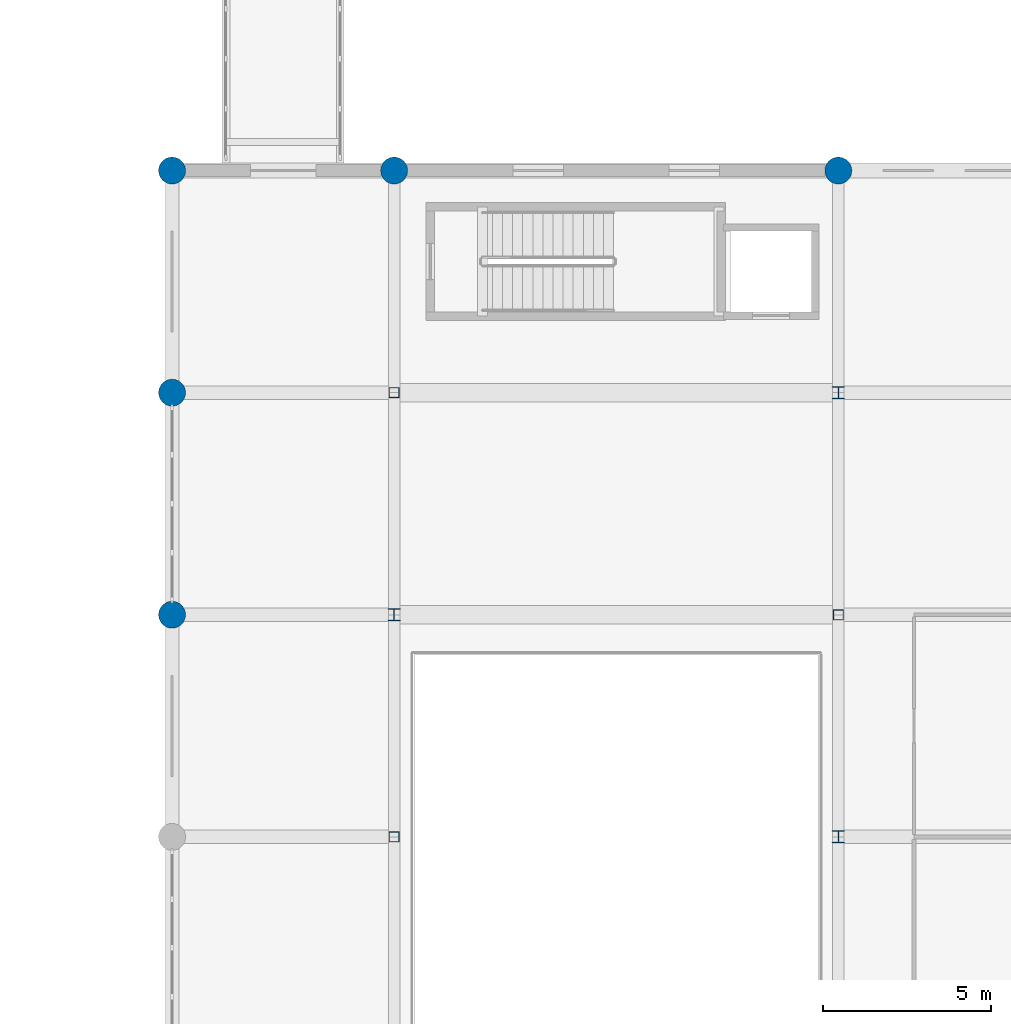
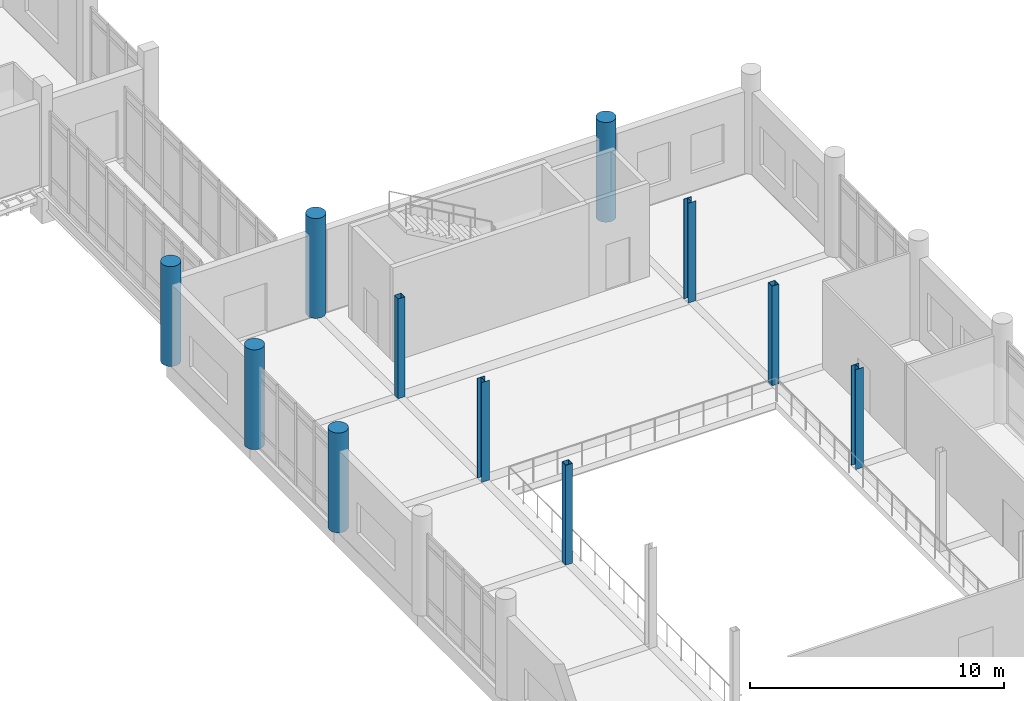
# One storey, part 6 of 101: 11 columns.
"""IFC4 building model written with IfcOpenShell, lengths in metres."""

from ifc_helpers import new_model, si_unit, direction, frame, origin, origin_2d, place, context, subcontext, project, spatial, hollow_rectangle, circle, i_section, extrude, material, material_profile, profile_set, type_object, element, save


model = new_model("IFC4")

# Units and contexts
model_context = context("Model", 3, precision=1e-05, world=origin(), true_north=direction((0.0, 1.0)))
body_context = subcontext(model_context, "Body", "Model", "MODEL_VIEW")
ifc_project = project(units=[si_unit("LENGTHUNIT", "METRE"), si_unit("AREAUNIT", "SQUARE_METRE"), si_unit("VOLUMEUNIT", "CUBIC_METRE"), si_unit("PLANEANGLEUNIT", "RADIAN"), si_unit("MASSUNIT", "GRAM", prefix="KILO")], contexts=[model_context])

# Site, building, storey
site_placement = place(None, origin())
site = spatial("IfcSite", under=ifc_project, at=site_placement, CompositionType="ELEMENT")
building_placement = place(site_placement, origin())
building = spatial("IfcBuilding", under=site, at=building_placement, Name="Dornvale Research Institute", CompositionType="ELEMENT")
storey_placement = place(building_placement, frame((0.0, 0.0, 10.199951171875)))
storey = spatial("IfcBuildingStorey", under=building, at=storey_placement, Name="L02", CompositionType="ELEMENT", Elevation=10.199951171875)

# Columns
ifc_material_1 = material(Name="Concrete f'c 45 MPa (C35/45)", Category="concrete")
ifc_material_profile_1 = material_profile(ifc_material_1, circle(Radius=0.39990234375, at=origin_2d()), Name="RC DIA 800")
ifc_profile_set_1 = profile_set([ifc_material_profile_1], Name="Concrete f'c 45 MPa (C35/45)")
column_type_1 = type_object("IfcColumnType", Name="Column_RCDia800_Ext", PredefinedType="COLUMN", material=ifc_profile_set_1)
for number, where, z_axis, x_axis, name in (
    (1, (39.60009765625, 72.60009765625, 0.0), (0.0, 0.0, 1.0), (1.0, 0.0, 0.0), "L02 column #1087"),
    (2, (39.60009765625, 79.199951171875, 0.0), (0.0, 0.0, 1.0), (1.0, 0.0, 0.0), "L02 column #1088"),
    (3, (39.60009765625, 85.800048828125, 0.0), (0.0, 0.0, 1.0), (1.0, 0.0, 0.0), "L02 column #1089"),
    (4, (46.199951171875, 85.800048828125, 0.0), (0.0, 0.0, 1.0), (1.0, 0.0, 0.0), "L02 column #1097"),
    (5, (59.39990234375, 85.800048828125, 0.0), (0.0, 0.0, 1.0), (1.0, 0.0, 0.0), "L02 column #1105"),
):
    element("IfcColumn", number, at=place(storey_placement, frame(where, z_axis=z_axis, x_axis=x_axis)), inside=storey, type_object=column_type_1, Name=name, PredefinedType="COLUMN", context=body_context, shape_type="SweptSolid", body=[
        extrude(circle(Radius=0.39990234375, at=origin_2d()), origin(), (0.0, 0.0, 1.0), 4.800048828125),
    ])
ifc_material_2 = material(Name="Steel ASTM A500 Grade C", Category="steel")
ifc_material_profile_2 = material_profile(ifc_material_2, hollow_rectangle(XDim=0.304931640625, YDim=0.304931640625, WallThickness=0.01171875, at=origin_2d()), Name="HSS305X305X12.7")
ifc_profile_set_2 = profile_set([ifc_material_profile_2], Name="Steel ASTM A500 Grade C")
column_type_2 = type_object("IfcColumnType", Name="Column_Steel_HSS305", PredefinedType="COLUMN", material=ifc_profile_set_2)
for number, where, z_axis, x_axis, name in (
    (6, (46.199951171875, 66.0, 0.0), (0.0, 0.0, 1.0), (1.0, 0.0, 0.0), "L02 column #1094"),
    (7, (46.199951171875, 79.199951171875, 0.0), (0.0, 0.0, 1.0), (1.0, 0.0, 0.0), "L02 column #1096"),
    (8, (59.39990234375, 72.60009765625, 0.0), (0.0, 0.0, 1.0), (1.0, 0.0, 0.0), "L02 column #1103"),
):
    element("IfcColumn", number, at=place(storey_placement, frame(where, z_axis=z_axis, x_axis=x_axis)), inside=storey, type_object=column_type_2, Name=name, PredefinedType="COLUMN", context=body_context, shape_type="SweptSolid", body=[
        extrude(hollow_rectangle(XDim=0.304931640625, YDim=0.304931640625, WallThickness=0.01171875, at=origin_2d()), origin(), (0.0, 0.0, 1.0), 4.800048828125),
    ])
ifc_material_3 = material(Name="Steel ASTM A992 Grade 50", Category="steel")
ifc_material_profile_3 = material_profile(ifc_material_3, i_section(OverallWidth=0.35595703125, OverallDepth=0.35595703125, WebThickness=0.01123046875, FlangeThickness=0.01806640625, at=origin_2d()), Name="W14X90")
ifc_profile_set_3 = profile_set([ifc_material_profile_3], Name="Steel ASTM A992 Grade 50")
column_type_3 = type_object("IfcColumnType", Name="Column_Steel_W14X90", PredefinedType="COLUMN", material=ifc_profile_set_3)
for number, where, z_axis, x_axis, name in (
    (9, (46.199951171875, 72.60009765625, 0.0), (0.0, 0.0, 1.0), (1.0, 0.0, 0.0), "L02 column #1095"),
    (10, (59.39990234375, 66.0, 0.0), (0.0, 0.0, 1.0), (1.0, 0.0, 0.0), "L02 column #1102"),
    (11, (59.39990234375, 79.199951171875, 0.0), (0.0, 0.0, 1.0), (1.0, 0.0, 0.0), "L02 column #1104"),
):
    element("IfcColumn", number, at=place(storey_placement, frame(where, z_axis=z_axis, x_axis=x_axis)), inside=storey, type_object=column_type_3, Name=name, PredefinedType="COLUMN", context=body_context, shape_type="SweptSolid", body=[
        extrude(i_section(OverallWidth=0.35595703125, OverallDepth=0.35595703125, WebThickness=0.01123046875, FlangeThickness=0.01806640625, at=origin_2d()), origin(), (0.0, 0.0, 1.0), 4.800048828125),
    ])

save(model, "model.ifc")
